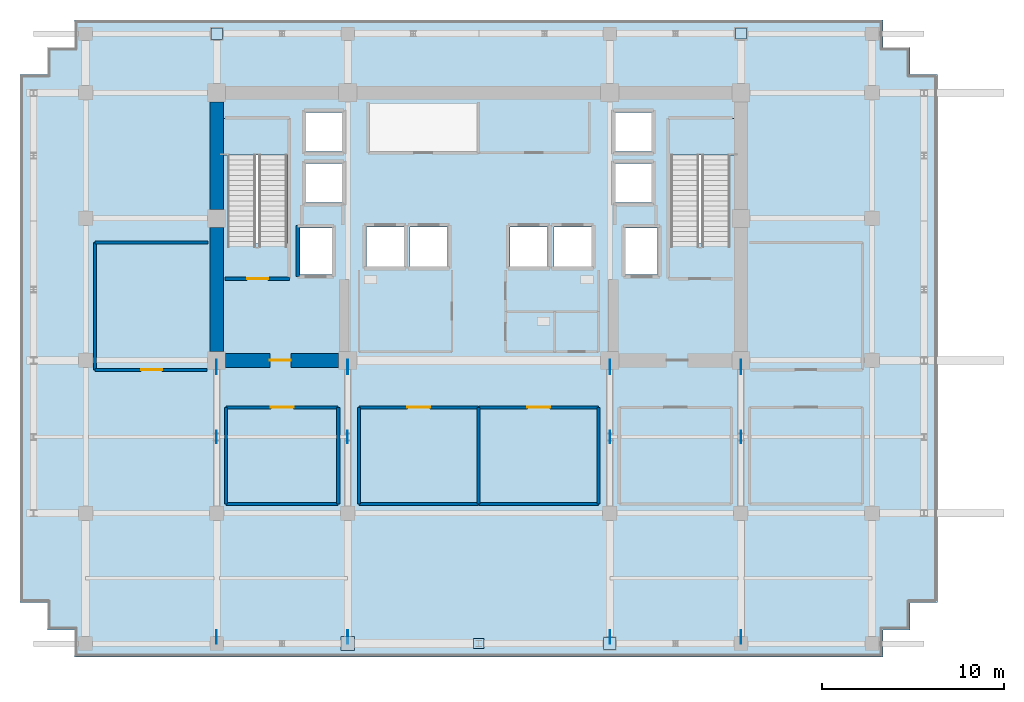
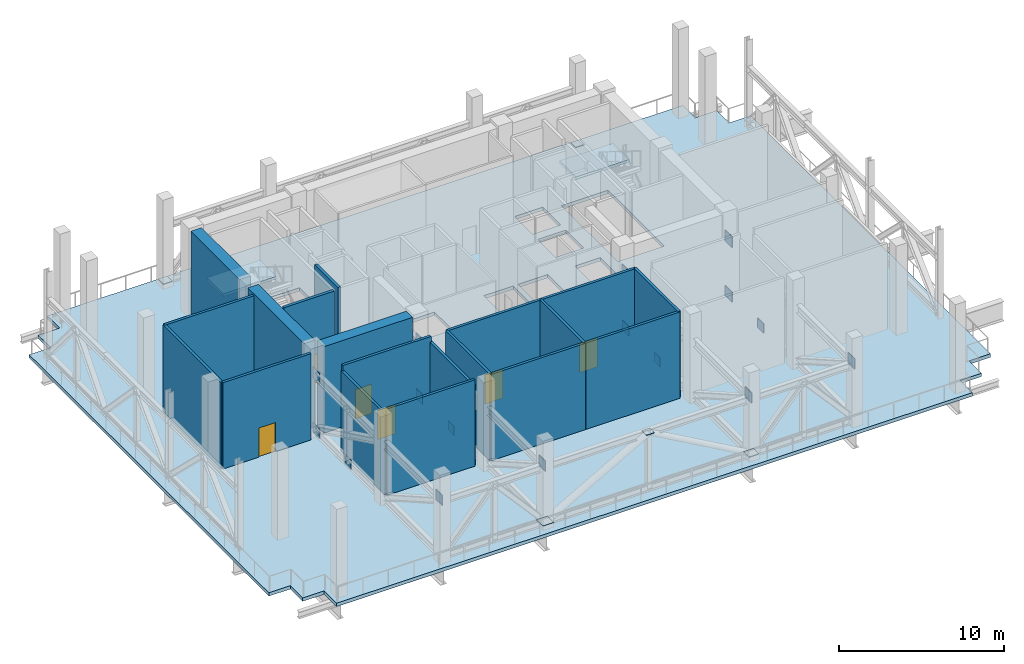
# One storey, part 5 of 13: 21 plates, 19 walls, 6 doors, 3 slabs, 6 openings, 2 elements without a shape of their own.
"""IFC4 building model written with IfcOpenShell, lengths in metres."""

from ifc_helpers import new_model, si_unit, direction, frame, frame_2d, origin, origin_2d, place, context, subcontext, project, spatial, polyline, rectangle, outline, extrude, source, transform, mapped, material, layer, layer_set, type_object, element, fill, aggregate, save


model = new_model("IFC4")

# Units and contexts
model_context = context("Model", 3, precision=1e-05, world=origin(), true_north=direction((0.0, 1.0)))
body_context = subcontext(model_context, "Body", "Model", "MODEL_VIEW")
ifc_project = project(units=[si_unit("LENGTHUNIT", "METRE"), si_unit("AREAUNIT", "SQUARE_METRE"), si_unit("VOLUMEUNIT", "CUBIC_METRE"), si_unit("PLANEANGLEUNIT", "RADIAN"), si_unit("MASSUNIT", "GRAM", prefix="KILO")], contexts=[model_context])

# Site, building, storey
site_placement = place(None, origin())
site = spatial("IfcSite", under=ifc_project, at=site_placement, CompositionType="ELEMENT")
building_placement = place(site_placement, origin())
building = spatial("IfcBuilding", under=site, at=building_placement, Name="Zarnakvel Exchange Tower", CompositionType="ELEMENT")
storey_placement = place(building_placement, frame((0.0, 0.0, 139.60009765625)))
storey = spatial("IfcBuildingStorey", under=building, at=storey_placement, Name="L39", CompositionType="ELEMENT", Elevation=139.60009765625)

# Stair, slab
ifc_material_1 = material(Name="Concrete C40/50", Category="concrete")
stair_type = type_object("IfcStairType", Name="STR-01", PredefinedType="HALF_TURN_STAIR", material=ifc_material_1)
stair_1_placement = place(storey_placement, origin())
stair_1 = element("IfcStair", 1, at=stair_1_placement, inside=storey, type_object=stair_type, Name="L39 Protected Core Exit Stair ST-01", PredefinedType="HALF_TURN_STAIR")
ifc_layer_1 = layer(ifc_material_1, 0.199951171875)
ifc_layer_set_1 = layer_set([ifc_layer_1], Name="Concrete C40/50")
slab_type_1 = type_object("IfcSlabType", Name="LDG-01", PredefinedType="LANDING", material=ifc_layer_set_1)
slab_1_placement = place(storey_placement, frame((0.0, 0.0, 3.099853515625)))
slab_1 = element("IfcSlab", 2, at=slab_1_placement, type_object=slab_type_1, Name="ST-01 landing 1", PredefinedType="LANDING", context=body_context, shape_type="SweptSolid", body=[
    extrude(outline(polyline([(-14.18994140625, 10.090087890625), (-10.4599609375, 10.090087890625), (-10.4599609375, 12.080078125), (-14.18994140625, 12.080078125), (-14.18994140625, 10.090087890625)])), origin(), (0.0, 0.0, 1.0), 0.199951171875),
])
aggregate(stair_1, [slab_1])

stair_2_placement = place(storey_placement, origin())
stair_2 = element("IfcStair", 3, at=stair_2_placement, inside=storey, type_object=stair_type, Name="L39 Protected Core Exit Stair ST-02", PredefinedType="HALF_TURN_STAIR")
slab_2_placement = place(storey_placement, frame((0.0, 0.0, 3.099853515625)))
slab_2 = element("IfcSlab", 4, at=slab_2_placement, type_object=slab_type_1, Name="ST-02 landing 1", PredefinedType="LANDING", context=body_context, shape_type="SweptSolid", body=[
    extrude(outline(polyline([(10.4599609375, 10.090087890625), (14.18994140625, 10.090087890625), (14.18994140625, 12.080078125), (10.4599609375, 12.080078125), (10.4599609375, 10.090087890625)])), origin(), (0.0, 0.0, 1.0), 0.199951171875),
])
aggregate(stair_2, [slab_2])

# Slab
ifc_layer_2 = layer(ifc_material_1, 0.25)
ifc_layer_set_2 = layer_set([ifc_layer_2], Name="Concrete C40/50")
slab_type_2 = type_object("IfcSlabType", Name="SL-03", PredefinedType="FLOOR", material=ifc_layer_set_2)
slab_3_placement = place(storey_placement, frame((0.0, 0.0, -0.25)))
element("IfcSlab", 5, at=slab_3_placement, inside=storey, type_object=slab_type_2, Name="L39 Primary Structural Floor Slab", PredefinedType="FLOOR", context=body_context, shape_type="SweptSolid", body=[
    extrude(outline(polyline([(-25.199951171875, -14.5), (-23.699951171875, -14.5), (-23.699951171875, -16.0), (-22.199951171875, -16.0), (-22.199951171875, -17.5), (22.199951171875, -17.5), (22.199951171875, -16.0), (23.699951171875, -16.0), (23.699951171875, -14.5), (25.199951171875, -14.5), (25.199951171875, 14.5), (23.699951171875, 14.5), (23.699951171875, 16.0), (22.199951171875, 16.0), (22.199951171875, 17.5), (-22.199951171875, 17.5), (-22.199951171875, 16.0), (-23.699951171875, 16.0), (-23.699951171875, 14.5), (-25.199951171875, 14.5), (-25.199951171875, -14.5)]), holes=[polyline([(-13.800048828125, 5.2099609375), (-10.5400390625, 5.2099609375), (-10.5400390625, 12.0), (-13.800048828125, 12.0), (-13.800048828125, 5.2099609375)]), polyline([(10.5400390625, 5.2099609375), (13.800048828125, 5.2099609375), (13.800048828125, 12.0), (10.5400390625, 12.0), (10.5400390625, 5.2099609375)]), polyline([(-9.830078125, 3.52001953125), (-8.070068359375, 3.52001953125), (-8.070068359375, 6.080078125), (-9.830078125, 6.080078125), (-9.830078125, 3.52001953125)]), polyline([(8.070068359375, 3.52001953125), (9.830078125, 3.52001953125), (9.830078125, 6.080078125), (8.070068359375, 6.080078125), (8.070068359375, 3.52001953125)]), polyline([(-6.179931640625, 3.969970703125), (-4.1201171875, 3.969970703125), (-4.1201171875, 6.1298828125), (-6.179931640625, 6.1298828125), (-6.179931640625, 3.969970703125)]), polyline([(-3.780029296875, 3.969970703125), (-1.719970703125, 3.969970703125), (-1.719970703125, 6.1298828125), (-3.780029296875, 6.1298828125), (-3.780029296875, 3.969970703125)]), polyline([(1.719970703125, 3.969970703125), (3.780029296875, 3.969970703125), (3.780029296875, 6.1298828125), (1.719970703125, 6.1298828125), (1.719970703125, 3.969970703125)]), polyline([(4.1201171875, 3.969970703125), (6.179931640625, 3.969970703125), (6.179931640625, 6.1298828125), (4.1201171875, 6.1298828125), (4.1201171875, 3.969970703125)]), polyline([(-9.47998046875, 7.469970703125), (-7.52001953125, 7.469970703125), (-7.52001953125, 9.6298828125), (-9.47998046875, 9.6298828125), (-9.47998046875, 7.469970703125)]), polyline([(-9.47998046875, 10.27001953125), (-7.52001953125, 10.27001953125), (-7.52001953125, 12.429931640625), (-9.47998046875, 12.429931640625), (-9.47998046875, 10.27001953125)]), polyline([(7.52001953125, 7.469970703125), (9.47998046875, 7.469970703125), (9.47998046875, 9.6298828125), (7.52001953125, 9.6298828125), (7.52001953125, 7.469970703125)]), polyline([(7.52001953125, 10.27001953125), (9.47998046875, 10.27001953125), (9.47998046875, 12.429931640625), (7.52001953125, 12.429931640625), (7.52001953125, 10.27001953125)])]), origin(), (0.0, 0.0, 1.0), 0.25),
])

# Plates
ifc_material_2 = material(Name="Steel S460", Category="steel")
ifc_layer_3 = layer(ifc_material_2, 0.0380859375)
ifc_layer_set_3 = layer_set([ifc_layer_3], Name="Steel S460")
plate_type_1 = type_object("IfcPlateType", Name="ON1", PredefinedType="USERDEFINED", material=ifc_layer_set_3)
shared_shape_1 = source(origin(), body_context, "Body", "SweptSolid", [
    extrude(rectangle(XDim=0.0380859375, YDim=0.800048828125, at=origin_2d()), origin(), (0.0, 0.0, 1.0), 0.800048828125),
])
for number, where, z_axis, x_axis, name in (
    (6, (-14.39990234375, -1.550048828125, 4.02490234375), (0.0, 0.0, 1.0), (1.0, 0.0, 0.0), "L39 Outrigger Core Upper Gusset ON1 (4)"),
    (7, (-7.199951171875, -1.550048828125, 4.02490234375), (0.0, 0.0, 1.0), (1.0, 0.0, 0.0), "L39 Outrigger Core Upper Gusset ON1 (5)"),
    (8, (7.199951171875, -1.550048828125, 4.02490234375), (0.0, 0.0, 1.0), (1.0, 0.0, 0.0), "L39 Outrigger Core Upper Gusset ON1 (8)"),
    (9, (14.39990234375, -1.550048828125, 4.02490234375), (0.0, 0.0, 1.0), (1.0, 0.0, 0.0), "L39 Outrigger Core Upper Gusset ON1 (9)"),
):
    element("IfcPlate", number, at=place(storey_placement, frame(where, z_axis=z_axis, x_axis=x_axis)), inside=storey, type_object=plate_type_1, Name=name, ObjectType="GUSSET_PLATE", PredefinedType="USERDEFINED", context=body_context, shape_type="MappedRepresentation", body=[
        mapped(shared_shape_1, transform((0.0, 0.0, 0.0), x_axis=(1.0, 0.0, 0.0), y_axis=(0.0, 1.0, 0.0), z_axis=(0.0, 0.0, 1.0), scale=1.0)),
    ])
ifc_layer_4 = layer(ifc_material_2, 0.035888671875)
ifc_layer_set_4 = layer_set([ifc_layer_4], Name="Steel S460")
plate_type_2 = type_object("IfcPlateType", Name="ON2", PredefinedType="USERDEFINED", material=ifc_layer_set_4)
shared_shape_2 = source(origin(), body_context, "Body", "SweptSolid", [
    extrude(rectangle(XDim=0.035888671875, YDim=0.800048828125, at=origin_2d()), origin(), (0.0, 0.0, 1.0), 0.75),
])
for number, where, z_axis, x_axis, name in (
    (10, (-14.39990234375, -1.550048828125, -0.025146484375), (0.0, 0.0, 1.0), (1.0, 0.0, 0.0), "L39 Outrigger Core Lower Gusset ON2 (4)"),
    (11, (-7.199951171875, -1.550048828125, -0.025146484375), (0.0, 0.0, 1.0), (1.0, 0.0, 0.0), "L39 Outrigger Core Lower Gusset ON2 (5)"),
    (12, (7.199951171875, -1.550048828125, -0.025146484375), (0.0, 0.0, 1.0), (1.0, 0.0, 0.0), "L39 Outrigger Core Lower Gusset ON2 (8)"),
    (13, (14.39990234375, -1.550048828125, -0.025146484375), (0.0, 0.0, 1.0), (1.0, 0.0, 0.0), "L39 Outrigger Core Lower Gusset ON2 (9)"),
):
    element("IfcPlate", number, at=place(storey_placement, frame(where, z_axis=z_axis, x_axis=x_axis)), inside=storey, type_object=plate_type_2, Name=name, ObjectType="GUSSET_PLATE", PredefinedType="USERDEFINED", context=body_context, shape_type="MappedRepresentation", body=[
        mapped(shared_shape_2, transform((0.0, 0.0, 0.0), x_axis=(1.0, 0.0, 0.0), y_axis=(0.0, 1.0, 0.0), z_axis=(0.0, 0.0, 1.0), scale=1.0)),
    ])
ifc_layer_5 = layer(ifc_material_2, 0.034912109375)
ifc_layer_set_5 = layer_set([ifc_layer_5], Name="Steel S460")
plate_type_3 = type_object("IfcPlateType", Name="ON3", PredefinedType="USERDEFINED", material=ifc_layer_set_5)
shared_shape_3 = source(origin(), body_context, "Body", "SweptSolid", [
    extrude(rectangle(XDim=0.034912109375, YDim=0.75, at=origin_2d()), origin(), (0.0, 0.0, 1.0), 0.75),
])
for number, where, z_axis, x_axis, name in (
    (14, (-14.39990234375, -16.39990234375, 4.0498046875), (0.0, 0.0, 1.0), (1.0, 0.0, 0.0), "L39 Outrigger Perimeter Gusset ON3 (4)"),
    (15, (-7.199951171875, -16.39990234375, 4.0498046875), (0.0, 0.0, 1.0), (1.0, 0.0, 0.0), "L39 Outrigger Perimeter Gusset ON3 (5)"),
    (16, (7.199951171875, -16.39990234375, 4.0498046875), (0.0, 0.0, 1.0), (1.0, 0.0, 0.0), "L39 Outrigger Perimeter Gusset ON3 (8)"),
    (17, (14.39990234375, -16.39990234375, 4.0498046875), (0.0, 0.0, 1.0), (1.0, 0.0, 0.0), "L39 Outrigger Perimeter Gusset ON3 (9)"),
):
    element("IfcPlate", number, at=place(storey_placement, frame(where, z_axis=z_axis, x_axis=x_axis)), inside=storey, type_object=plate_type_3, Name=name, ObjectType="GUSSET_PLATE", PredefinedType="USERDEFINED", context=body_context, shape_type="MappedRepresentation", body=[
        mapped(shared_shape_3, transform((0.0, 0.0, 0.0), x_axis=(1.0, 0.0, 0.0), y_axis=(0.0, 1.0, 0.0), z_axis=(0.0, 0.0, 1.0), scale=1.0)),
    ])
ifc_layer_6 = layer(ifc_material_2, 0.031982421875)
ifc_layer_set_6 = layer_set([ifc_layer_6], Name="Steel S460")
plate_type_4 = type_object("IfcPlateType", Name="ON4", PredefinedType="USERDEFINED", material=ifc_layer_set_6)
shared_shape_4 = source(origin(), body_context, "Body", "SweptSolid", [
    extrude(rectangle(XDim=0.031982421875, YDim=0.699951171875, at=origin_2d()), origin(), (0.0, 0.0, 1.0), 0.699951171875),
])
for number, where, z_axis, x_axis, name in (
    (18, (-14.39990234375, -5.39990234375, 0.0), (0.0, 0.0, 1.0), (1.0, 0.0, 0.0), "L39 Outrigger Web Splice Gusset ON4 (4)"),
    (19, (-7.199951171875, -5.39990234375, 0.0), (0.0, 0.0, 1.0), (1.0, 0.0, 0.0), "L39 Outrigger Web Splice Gusset ON4 (5)"),
    (20, (7.199951171875, -5.39990234375, 0.0), (0.0, 0.0, 1.0), (1.0, 0.0, 0.0), "L39 Outrigger Web Splice Gusset ON4 (8)"),
    (21, (14.39990234375, -5.39990234375, 0.0), (0.0, 0.0, 1.0), (1.0, 0.0, 0.0), "L39 Outrigger Web Splice Gusset ON4 (9)"),
):
    element("IfcPlate", number, at=place(storey_placement, frame(where, z_axis=z_axis, x_axis=x_axis)), inside=storey, type_object=plate_type_4, Name=name, ObjectType="GUSSET_PLATE", PredefinedType="USERDEFINED", context=body_context, shape_type="MappedRepresentation", body=[
        mapped(shared_shape_4, transform((0.0, 0.0, 0.0), x_axis=(1.0, 0.0, 0.0), y_axis=(0.0, 1.0, 0.0), z_axis=(0.0, 0.0, 1.0), scale=1.0)),
    ])
ifc_material_3 = material(Name="Steel S355", Category="steel")
ifc_layer_7 = layer(ifc_material_3, 0.028076171875)
ifc_layer_set_7 = layer_set([ifc_layer_7], Name="Steel S355")
plate_type_5 = type_object("IfcPlateType", Name="BN3", PredefinedType="USERDEFINED", material=ifc_layer_set_7)
shared_shape_5 = source(origin(), body_context, "Body", "SweptSolid", [
    extrude(rectangle(XDim=0.639892578125, YDim=0.639892578125, at=origin_2d()), origin(), (0.0, 0.0, 1.0), 0.028076171875),
])
plate_1_placement = place(storey_placement, frame((-14.39990234375, 16.75, 0.3359375), z_axis=(0.0, 0.0, 1.0), x_axis=(1.0, 0.0, 0.0)))
element("IfcPlate", 22, at=plate_1_placement, inside=storey, type_object=plate_type_5, Name="L39 Truss Node Gusset BN3", ObjectType="GUSSET_PLATE", PredefinedType="USERDEFINED", context=body_context, shape_type="MappedRepresentation", body=[
    mapped(shared_shape_5, transform((0.0, 0.0, 0.0), x_axis=(1.0, 0.0, 0.0), y_axis=(0.0, 1.0, 0.0), z_axis=(0.0, 0.0, 1.0), scale=1.0)),
])
ifc_layer_8 = layer(ifc_material_3, 0.02587890625)
ifc_layer_set_8 = layer_set([ifc_layer_8], Name="Steel S355")
plate_type_6 = type_object("IfcPlateType", Name="BN4", PredefinedType="USERDEFINED", material=ifc_layer_set_8)
shared_shape_6 = source(origin(), body_context, "Body", "SweptSolid", [
    extrude(rectangle(XDim=0.60009765625, YDim=0.60009765625, at=origin_2d()), origin(), (0.0, 0.0, 1.0), 0.02587890625),
])
plate_2_placement = place(storey_placement, frame((14.39990234375, 16.75, 0.3369140625), z_axis=(0.0, 0.0, 1.0), x_axis=(1.0, 0.0, 0.0)))
element("IfcPlate", 23, at=plate_2_placement, inside=storey, type_object=plate_type_6, Name="L39 Truss Node Gusset BN4", ObjectType="GUSSET_PLATE", PredefinedType="USERDEFINED", context=body_context, shape_type="MappedRepresentation", body=[
    mapped(shared_shape_6, transform((0.0, 0.0, 0.0), x_axis=(1.0, 0.0, 0.0), y_axis=(0.0, 1.0, 0.0), z_axis=(0.0, 0.0, 1.0), scale=1.0)),
])
ifc_layer_9 = layer(ifc_material_3, 0.033935546875)
ifc_layer_set_9 = layer_set([ifc_layer_9], Name="Steel S355")
plate_type_7 = type_object("IfcPlateType", Name="VN1", PredefinedType="USERDEFINED", material=ifc_layer_set_9)
shared_shape_7 = source(origin(), body_context, "Body", "SweptSolid", [
    extrude(rectangle(XDim=0.760009765625, YDim=0.760009765625, at=origin_2d()), origin(), (0.0, 0.0, 1.0), 0.033935546875),
])
plate_3_placement = place(storey_placement, frame((-7.199951171875, -16.75, 0.3330078125), z_axis=(0.0, 0.0, 1.0), x_axis=(1.0, 0.0, 0.0)))
element("IfcPlate", 24, at=plate_3_placement, inside=storey, type_object=plate_type_7, Name="L39 Truss Node Gusset VN1", ObjectType="GUSSET_PLATE", PredefinedType="USERDEFINED", context=body_context, shape_type="MappedRepresentation", body=[
    mapped(shared_shape_7, transform((0.0, 0.0, 0.0), x_axis=(1.0, 0.0, 0.0), y_axis=(0.0, 1.0, 0.0), z_axis=(0.0, 0.0, 1.0), scale=1.0)),
])
ifc_layer_10 = layer(ifc_material_3, 0.030029296875)
ifc_layer_set_10 = layer_set([ifc_layer_10], Name="Steel S355")
plate_type_8 = type_object("IfcPlateType", Name="VN2", PredefinedType="USERDEFINED", material=ifc_layer_set_10)
shared_shape_8 = source(origin(), body_context, "Body", "SweptSolid", [
    extrude(rectangle(XDim=0.699951171875, YDim=0.64990234375, at=origin_2d()), origin(), (0.0, 0.0, 1.0), 0.030029296875),
])
plate_4_placement = place(storey_placement, frame((7.199951171875, -16.75, 0.3349609375), z_axis=(0.0, 0.0, 1.0), x_axis=(1.0, 0.0, 0.0)))
element("IfcPlate", 25, at=plate_4_placement, inside=storey, type_object=plate_type_8, Name="L39 Truss Node Gusset VN2", ObjectType="GUSSET_PLATE", PredefinedType="USERDEFINED", context=body_context, shape_type="MappedRepresentation", body=[
    mapped(shared_shape_8, transform((0.0, 0.0, 0.0), x_axis=(1.0, 0.0, 0.0), y_axis=(0.0, 1.0, 0.0), z_axis=(0.0, 0.0, 1.0), scale=1.0)),
])
ifc_layer_11 = layer(ifc_material_3, 0.031982421875)
ifc_layer_set_11 = layer_set([ifc_layer_11], Name="Steel S355")
plate_type_9 = type_object("IfcPlateType", Name="BP-01", PredefinedType="USERDEFINED", material=ifc_layer_set_11)
shared_shape_9 = source(origin(), body_context, "Body", "SweptSolid", [
    extrude(rectangle(XDim=0.56005859375, YDim=0.56005859375, at=origin_2d()), origin(), (0.0, 0.0, 1.0), 0.031982421875),
])
plate_5_placement = place(storey_placement, frame((0.0, -16.75, 4.40869140625), z_axis=(0.0, 0.0, 1.0), x_axis=(1.0, 0.0, 0.0)))
element("IfcPlate", 26, at=plate_5_placement, inside=storey, type_object=plate_type_9, Name="L39 Tube End Cap Plate 1B", ObjectType="BASE_PLATE", PredefinedType="USERDEFINED", context=body_context, shape_type="MappedRepresentation", body=[
    mapped(shared_shape_9, transform((0.0, 0.0, 0.0), x_axis=(1.0, 0.0, 0.0), y_axis=(0.0, 1.0, 0.0), z_axis=(0.0, 0.0, 1.0), scale=1.0)),
])

# Walls
ifc_material_4 = material(Name="Concrete C60/75", Category="concrete")
ifc_layer_12 = layer(ifc_material_4, 0.75)
ifc_layer_set_12 = layer_set([ifc_layer_12], Name="Concrete C60/75")
wall_type_1 = type_object("IfcWallType", Name="CW-C3", PredefinedType="SHEAR", material=ifc_layer_set_12)
wall_1_placement = place(storey_placement, frame((-14.39990234375, -0.699951171875, 0.0), z_axis=(0.0, 0.0, 1.0), x_axis=(0.0, 1.0, 0.0)))
element("IfcWall", 27, at=wall_1_placement, inside=storey, type_object=wall_type_1, Name="L39 Rear Core Shear Wall W1 (CW-C3)", PredefinedType="SHEAR", context=body_context, shape_type="SweptSolid", body=[
    extrude(rectangle(XDim=6.800048828125, YDim=0.75, at=frame_2d((3.39990234375, 0.0))), origin(), (0.0, 0.0, 1.0), 6.375),
])
wall_2_placement = place(storey_placement, frame((-14.39990234375, 7.10009765625, 0.0), z_axis=(0.0, 0.0, 1.0), x_axis=(0.0, 1.0, 0.0)))
element("IfcWall", 28, at=wall_2_placement, inside=storey, type_object=wall_type_1, Name="L39 Rear Core Shear Wall W2 (CW-C3)", PredefinedType="SHEAR", context=body_context, shape_type="SweptSolid", body=[
    extrude(rectangle(XDim=5.89990234375, YDim=0.75, at=frame_2d((2.949951171875, 0.0))), origin(), (0.0, 0.0, 1.0), 6.375),
])

# Wall, opening, door
wall_3_placement = place(storey_placement, frame((-7.699951171875, -1.199951171875, 0.0), z_axis=(0.0, 0.0, 1.0), x_axis=(-1.0, 0.0, 0.0)))
wall_3 = element("IfcWall", 29, at=wall_3_placement, inside=storey, type_object=wall_type_1, Name="L39 Rear Core Shear Wall SW (CW-C3)", PredefinedType="SHEAR", context=body_context, shape_type="SweptSolid", body=[
    extrude(rectangle(XDim=6.199951171875, YDim=0.75, at=frame_2d((3.10009765625, 0.0))), origin(), (0.0, 0.0, 1.0), 6.375),
])
opening_1_placement = place(wall_3_placement, frame((2.625, 0.0, 0.0)))
opening_1 = element("IfcOpeningElement", 30, at=opening_1_placement, cuts=wall_3, Name="Opening D-L39-03", PredefinedType="OPENING", context=body_context, shape_type="SweptSolid", body=[
    extrude(rectangle(XDim=1.14990234375, YDim=2.14990234375, at=frame_2d((0.574951171875, 1.074951171875))), frame((0.0, 0.385009765625, 0.0), z_axis=(0.0, -1.0, 0.0), x_axis=(1.0, 0.0, 0.0)), (0.0, 0.0, 1.0), 0.77001953125),
])
ifc_material_5 = material(Name="Painted Galvanised Steel S355", Category="steel")
door_type_1 = type_object("IfcDoorType", Name="DT-04", OperationType="NOTDEFINED", PredefinedType="DOOR", material=ifc_material_5)
shared_shape_10 = source(origin(), body_context, "Body", "SweptSolid", [
    extrude(rectangle(XDim=1.14990234375, YDim=2.14990234375, at=frame_2d((0.574951171875, 1.074951171875))), frame((0.0, 0.02490234375, 0.0), z_axis=(0.0, -1.0, 0.0), x_axis=(1.0, 0.0, 0.0)), (0.0, 0.0, 1.0), 0.050048828125),
])
door_1_placement = place(opening_1_placement, origin())
door_1 = element("IfcDoor", 31, at=door_1_placement, inside=storey, type_object=door_type_1, Name="L39 Firefighting Lobby West Door D-L39-03", OperationType="SINGLE_SWING_LEFT", OverallHeight=2.14990234375, OverallWidth=1.14990234375, PredefinedType="DOOR", context=body_context, shape_type="MappedRepresentation", body=[
    mapped(shared_shape_10, transform((0.0, 0.0, 0.0), x_axis=(1.0, 0.0, 0.0), y_axis=(0.0, 1.0, 0.0), z_axis=(0.0, 0.0, 1.0), scale=1.0)),
])
fill(opening_1, door_1)

ifc_material_6 = material(Name="Fire-Rated Gypsum Stud Partition", Category="gypsum")
ifc_layer_13 = layer(ifc_material_6, 0.179931640625)
ifc_layer_set_13 = layer_set([ifc_layer_13], Name="Fire-Rated Gypsum Stud Partition")
wall_type_2 = type_object("IfcWallType", Name="PT-02", PredefinedType="PARTITIONING", material=ifc_layer_set_13)
wall_4_placement = place(storey_placement, frame((-14.919921875, -1.719970703125, 0.0), z_axis=(0.0, 0.0, 1.0), x_axis=(-1.0, 0.0, 0.0)))
wall_4 = element("IfcWall", 32, at=wall_4_placement, inside=storey, type_object=wall_type_2, Name="L39 Partition Wall PWALL-L39-027 (PT-02)", PredefinedType="PARTITIONING", context=body_context, shape_type="SweptSolid", body=[
    extrude(rectangle(XDim=6.16015625, YDim=0.179931640625, at=frame_2d((3.080078125, 0.0))), origin(), (0.0, 0.0, 1.0), 6.375),
])
opening_2_placement = place(wall_4_placement, frame((2.47998046875, 0.0, 0.0)))
opening_2 = element("IfcOpeningElement", 33, at=opening_2_placement, cuts=wall_4, Name="Opening D-L39-11", PredefinedType="OPENING", context=body_context, shape_type="SweptSolid", body=[
    extrude(rectangle(XDim=1.14990234375, YDim=2.14990234375, at=frame_2d((0.574951171875, 1.074951171875))), frame((0.0, 0.099853515625, 0.0), z_axis=(0.0, -1.0, 0.0), x_axis=(1.0, 0.0, 0.0)), (0.0, 0.0, 1.0), 0.199951171875),
])
door_2_placement = place(opening_2_placement, origin())
door_2 = element("IfcDoor", 34, at=door_2_placement, inside=storey, type_object=door_type_1, Name="L39 L39 Protected Refuge Area West Door D-L39-11", OperationType="SINGLE_SWING_LEFT", OverallHeight=2.14990234375, OverallWidth=1.14990234375, PredefinedType="DOOR", context=body_context, shape_type="MappedRepresentation", body=[
    mapped(shared_shape_10, transform((0.0, 0.0, 0.0), x_axis=(1.0, 0.0, 0.0), y_axis=(0.0, 1.0, 0.0), z_axis=(0.0, 0.0, 1.0), scale=1.0)),
])
fill(opening_2, door_2)

# Walls
wall_5_placement = place(storey_placement, frame((-21.080078125, 5.280029296875, 0.0), z_axis=(0.0, 0.0, 1.0), x_axis=(1.0, 0.0, 0.0)))
element("IfcWall", 35, at=wall_5_placement, inside=storey, type_object=wall_type_2, Name="L39 Partition Wall PWALL-L39-028 (PT-02)", PredefinedType="PARTITIONING", context=body_context, shape_type="SweptSolid", body=[
    extrude(rectangle(XDim=6.2099609375, YDim=0.179931640625, at=frame_2d((3.10498046875, 0.0))), origin(), (0.0, 0.0, 1.0), 6.375),
])
wall_6_placement = place(storey_placement, frame((-21.080078125, -1.719970703125, 0.0), z_axis=(0.0, 0.0, 1.0), x_axis=(0.0, 1.0, 0.0)))
element("IfcWall", 36, at=wall_6_placement, inside=storey, type_object=wall_type_2, Name="L39 Partition Wall PWALL-L39-029 (PT-02)", PredefinedType="PARTITIONING", context=body_context, shape_type="SweptSolid", body=[
    extrude(rectangle(XDim=7.0, YDim=0.179931640625, at=frame_2d((3.5, 0.0))), origin(), (0.0, 0.0, 1.0), 6.375),
])
wall_7_placement = place(storey_placement, frame((-0.02001953125, -9.080078125, 0.0), z_axis=(0.0, 0.0, 1.0), x_axis=(-1.0, 0.0, 0.0)))
element("IfcWall", 37, at=wall_7_placement, inside=storey, type_object=wall_type_2, Name="L39 Partition Wall PWALL-L39-033 (PT-02)", PredefinedType="PARTITIONING", context=body_context, shape_type="SweptSolid", body=[
    extrude(rectangle(XDim=6.56005859375, YDim=0.179931640625, at=frame_2d((3.280029296875, 0.0))), origin(), (0.0, 0.0, 1.0), 6.375),
])

# Wall, opening, door
wall_8_placement = place(storey_placement, frame((-6.580078125, -3.780029296875, 0.0), z_axis=(0.0, 0.0, 1.0), x_axis=(1.0, 0.0, 0.0)))
wall_8 = element("IfcWall", 38, at=wall_8_placement, inside=storey, type_object=wall_type_2, Name="L39 Partition Wall PWALL-L39-034 (PT-02)", PredefinedType="PARTITIONING", context=body_context, shape_type="SweptSolid", body=[
    extrude(rectangle(XDim=6.56005859375, YDim=0.179931640625, at=frame_2d((3.280029296875, 0.0))), origin(), (0.0, 0.0, 1.0), 6.375),
])
opening_3_placement = place(wall_8_placement, frame((2.655029296875, 0.0, 0.0)))
opening_3 = element("IfcOpeningElement", 39, at=opening_3_placement, cuts=wall_8, Name="Opening D-L39-13", PredefinedType="OPENING", context=body_context, shape_type="SweptSolid", body=[
    extrude(rectangle(XDim=1.25, YDim=2.14990234375, at=frame_2d((0.625, 1.074951171875))), frame((0.0, 0.099853515625, 0.0), z_axis=(0.0, -1.0, 0.0), x_axis=(1.0, 0.0, 0.0)), (0.0, 0.0, 1.0), 0.199951171875),
])
door_type_2 = type_object("IfcDoorType", Name="DT-06", OperationType="NOTDEFINED", PredefinedType="DOOR", material=ifc_material_5)
shared_shape_11 = source(origin(), body_context, "Body", "SweptSolid", [
    extrude(rectangle(XDim=1.25, YDim=2.14990234375, at=frame_2d((0.625, 1.074951171875))), frame((0.0, 0.02490234375, 0.0), z_axis=(0.0, -1.0, 0.0), x_axis=(1.0, 0.0, 0.0)), (0.0, 0.0, 1.0), 0.050048828125),
])
door_3_placement = place(opening_3_placement, origin())
door_3 = element("IfcDoor", 40, at=door_3_placement, inside=storey, type_object=door_type_2, Name="L39 L39 Chiller Heat-Exchanger Plant Room Door D-L39-13", OperationType="SINGLE_SWING_LEFT", OverallHeight=2.14990234375, OverallWidth=1.25, PredefinedType="DOOR", context=body_context, shape_type="MappedRepresentation", body=[
    mapped(shared_shape_11, transform((0.0, 0.0, 0.0), x_axis=(1.0, 0.0, 0.0), y_axis=(0.0, 1.0, 0.0), z_axis=(0.0, 0.0, 1.0), scale=1.0)),
])
fill(opening_3, door_3)

# Walls
for number, where, z_axis, x_axis, name in (
    (41, (-6.580078125, -9.080078125, 0.0), (0.0, 0.0, 1.0), (0.0, 1.0, 0.0), "L39 Partition Wall PWALL-L39-035 (PT-02)"),
    (42, (-0.02001953125, -3.780029296875, 0.0), (0.0, 0.0, 1.0), (0.0, -1.0, 0.0), "L39 Partition Wall PWALL-L39-036 (PT-02)"),
):
    element("IfcWall", number, at=place(storey_placement, frame(where, z_axis=z_axis, x_axis=x_axis)), inside=storey, type_object=wall_type_2, Name=name, PredefinedType="PARTITIONING", context=body_context, shape_type="SweptSolid", body=[
        extrude(rectangle(XDim=5.300048828125, YDim=0.179931640625, at=frame_2d((2.64990234375, 0.0))), origin(), (0.0, 0.0, 1.0), 6.375),
    ])
wall_9_placement = place(storey_placement, frame((6.580078125, -9.080078125, 0.0), z_axis=(0.0, 0.0, 1.0), x_axis=(-1.0, 0.0, 0.0)))
element("IfcWall", 43, at=wall_9_placement, inside=storey, type_object=wall_type_2, Name="L39 Partition Wall PWALL-L39-037 (PT-02)", PredefinedType="PARTITIONING", context=body_context, shape_type="SweptSolid", body=[
    extrude(rectangle(XDim=6.56005859375, YDim=0.179931640625, at=frame_2d((3.280029296875, 0.0))), origin(), (0.0, 0.0, 1.0), 6.375),
])

# Wall, opening, door
wall_10_placement = place(storey_placement, frame((0.02001953125, -3.780029296875, 0.0), z_axis=(0.0, 0.0, 1.0), x_axis=(1.0, 0.0, 0.0)))
wall_10 = element("IfcWall", 44, at=wall_10_placement, inside=storey, type_object=wall_type_2, Name="L39 Partition Wall PWALL-L39-038 (PT-02)", PredefinedType="PARTITIONING", context=body_context, shape_type="SweptSolid", body=[
    extrude(rectangle(XDim=6.56005859375, YDim=0.179931640625, at=frame_2d((3.280029296875, 0.0))), origin(), (0.0, 0.0, 1.0), 6.375),
])
opening_4_placement = place(wall_10_placement, frame((2.655029296875, 0.0, 0.0)))
opening_4 = element("IfcOpeningElement", 45, at=opening_4_placement, cuts=wall_10, Name="Opening D-L39-14", PredefinedType="OPENING", context=body_context, shape_type="SweptSolid", body=[
    extrude(rectangle(XDim=1.25, YDim=2.14990234375, at=frame_2d((0.625, 1.074951171875))), frame((0.0, 0.099853515625, 0.0), z_axis=(0.0, -1.0, 0.0), x_axis=(1.0, 0.0, 0.0)), (0.0, 0.0, 1.0), 0.199951171875),
])
door_4_placement = place(opening_4_placement, origin())
door_4 = element("IfcDoor", 46, at=door_4_placement, inside=storey, type_object=door_type_2, Name="L39 L39 AHU Supply Fan Plant Room Door D-L39-14", OperationType="SINGLE_SWING_RIGHT", OverallHeight=2.14990234375, OverallWidth=1.25, PredefinedType="DOOR", context=body_context, shape_type="MappedRepresentation", body=[
    mapped(shared_shape_11, transform((0.0, 0.0, 0.0), x_axis=(1.0, 0.0, 0.0), y_axis=(0.0, 1.0, 0.0), z_axis=(0.0, 0.0, 1.0), scale=1.0)),
])
fill(opening_4, door_4)

# Walls
wall_11_placement = place(storey_placement, frame((6.580078125, -3.780029296875, 0.0), z_axis=(0.0, 0.0, 1.0), x_axis=(0.0, -1.0, 0.0)))
element("IfcWall", 47, at=wall_11_placement, inside=storey, type_object=wall_type_2, Name="L39 Partition Wall PWALL-L39-039 (PT-02)", PredefinedType="PARTITIONING", context=body_context, shape_type="SweptSolid", body=[
    extrude(rectangle(XDim=5.300048828125, YDim=0.179931640625, at=frame_2d((2.64990234375, 0.0))), origin(), (0.0, 0.0, 1.0), 6.375),
])
wall_12_placement = place(storey_placement, frame((-7.719970703125, -9.080078125, 0.0), z_axis=(0.0, 0.0, 1.0), x_axis=(-1.0, 0.0, 0.0)))
element("IfcWall", 48, at=wall_12_placement, inside=storey, type_object=wall_type_2, Name="L39 Partition Wall PWALL-L39-040 (PT-02)", PredefinedType="PARTITIONING", context=body_context, shape_type="SweptSolid", body=[
    extrude(rectangle(XDim=6.159912109375, YDim=0.179931640625, at=frame_2d((3.080078125, 0.0))), origin(), (0.0, 0.0, 1.0), 6.375),
])

# Wall, opening, door
wall_13_placement = place(storey_placement, frame((-13.8798828125, -3.780029296875, 0.0), z_axis=(0.0, 0.0, 1.0), x_axis=(1.0, 0.0, 0.0)))
wall_13 = element("IfcWall", 49, at=wall_13_placement, inside=storey, type_object=wall_type_2, Name="L39 Partition Wall PWALL-L39-041 (PT-02)", PredefinedType="PARTITIONING", context=body_context, shape_type="SweptSolid", body=[
    extrude(rectangle(XDim=6.159912109375, YDim=0.179931640625, at=frame_2d((3.080078125, 0.0))), origin(), (0.0, 0.0, 1.0), 6.375),
])
opening_5_placement = place(wall_13_placement, frame((2.455078125, 0.0, 0.0)))
opening_5 = element("IfcOpeningElement", 50, at=opening_5_placement, cuts=wall_13, Name="Opening D-L39-15", PredefinedType="OPENING", context=body_context, shape_type="SweptSolid", body=[
    extrude(rectangle(XDim=1.25, YDim=2.14990234375, at=frame_2d((0.625, 1.074951171875))), frame((0.0, 0.099853515625, 0.0), z_axis=(0.0, -1.0, 0.0), x_axis=(1.0, 0.0, 0.0)), (0.0, 0.0, 1.0), 0.199951171875),
])
door_5_placement = place(opening_5_placement, origin())
door_5 = element("IfcDoor", 51, at=door_5_placement, inside=storey, type_object=door_type_2, Name="L39 L39 Fire Transfer Pump Plant Room Door D-L39-15", OperationType="SINGLE_SWING_LEFT", OverallHeight=2.14990234375, OverallWidth=1.25, PredefinedType="DOOR", context=body_context, shape_type="MappedRepresentation", body=[
    mapped(shared_shape_11, transform((0.0, 0.0, 0.0), x_axis=(1.0, 0.0, 0.0), y_axis=(0.0, 1.0, 0.0), z_axis=(0.0, 0.0, 1.0), scale=1.0)),
])
fill(opening_5, door_5)

# Walls
for number, where, z_axis, x_axis, name in (
    (52, (-13.8798828125, -9.080078125, 0.0), (0.0, 0.0, 1.0), (0.0, 1.0, 0.0), "L39 Partition Wall PWALL-L39-042 (PT-02)"),
    (53, (-7.719970703125, -3.780029296875, 0.0), (0.0, 0.0, 1.0), (0.0, -1.0, 0.0), "L39 Partition Wall PWALL-L39-043 (PT-02)"),
):
    element("IfcWall", number, at=place(storey_placement, frame(where, z_axis=z_axis, x_axis=x_axis)), inside=storey, type_object=wall_type_2, Name=name, PredefinedType="PARTITIONING", context=body_context, shape_type="SweptSolid", body=[
        extrude(rectangle(XDim=5.300048828125, YDim=0.179931640625, at=frame_2d((2.64990234375, 0.0))), origin(), (0.0, 0.0, 1.0), 5.96484375),
    ])
ifc_layer_14 = layer(ifc_material_1, 0.199951171875)
ifc_layer_set_14 = layer_set([ifc_layer_14], Name="Concrete C40/50")
wall_type_3 = type_object("IfcWallType", Name="SW-01", PredefinedType="SOLIDWALL", material=ifc_layer_set_14)
wall_14_placement = place(storey_placement, frame((-9.949951171875, 3.39990234375, 0.0), z_axis=(0.0, 0.0, 1.0), x_axis=(0.0, 1.0, 0.0)))
element("IfcWall", 54, at=wall_14_placement, inside=storey, type_object=wall_type_3, Name="L39 FL-01 Hoistway Wall West", PredefinedType="SOLIDWALL", context=body_context, shape_type="SweptSolid", body=[
    extrude(rectangle(XDim=2.800048828125, YDim=0.199951171875, at=frame_2d((1.39990234375, 0.0))), origin(), (0.0, 0.0, 1.0), 6.375),
])

# Wall, opening, door
ifc_layer_15 = layer(ifc_material_1, 0.199951171875)
ifc_layer_set_15 = layer_set([ifc_layer_15], Name="Concrete C40/50")
wall_type_4 = type_object("IfcWallType", Name="SW-02", PredefinedType="SOLIDWALL", material=ifc_layer_set_15)
wall_15_placement = place(storey_placement, frame((-10.409912109375, 3.2900390625, 0.0), z_axis=(0.0, 0.0, 1.0), x_axis=(-1.0, 0.0, 0.0)))
wall_15 = element("IfcWall", 55, at=wall_15_placement, inside=storey, type_object=wall_type_4, Name="L39 Stairwell Core Wall PWALL-L39-001 (SW-02)", PredefinedType="SOLIDWALL", context=body_context, shape_type="SweptSolid", body=[
    extrude(rectangle(XDim=3.52001953125, YDim=0.199951171875, at=frame_2d((1.760009765625, 0.0))), origin(), (0.0, 0.0, 1.0), 6.375),
])
opening_6_placement = place(wall_15_placement, frame((1.1650390625, 0.0, 0.0)))
opening_6 = element("IfcOpeningElement", 56, at=opening_6_placement, cuts=wall_15, Name="Opening D-L39-01", PredefinedType="OPENING", context=body_context, shape_type="SweptSolid", body=[
    extrude(rectangle(XDim=1.14990234375, YDim=2.14990234375, at=frame_2d((0.574951171875, 1.074951171875))), frame((0.0, 0.10986328125, 0.0), z_axis=(0.0, -1.0, 0.0), x_axis=(1.0, 0.0, 0.0)), (0.0, 0.0, 1.0), 0.219970703125),
])
door_6_placement = place(opening_6_placement, origin())
door_6 = element("IfcDoor", 57, at=door_6_placement, inside=storey, type_object=door_type_1, Name="L39 Stairwell ST-01 Door D-L39-01", OperationType="SINGLE_SWING_LEFT", OverallHeight=2.14990234375, OverallWidth=1.14990234375, PredefinedType="DOOR", context=body_context, shape_type="MappedRepresentation", body=[
    mapped(shared_shape_10, transform((0.0, 0.0, 0.0), x_axis=(1.0, 0.0, 0.0), y_axis=(0.0, 1.0, 0.0), z_axis=(0.0, 0.0, 1.0), scale=1.0)),
])
fill(opening_6, door_6)

save(model, "model.ifc")
